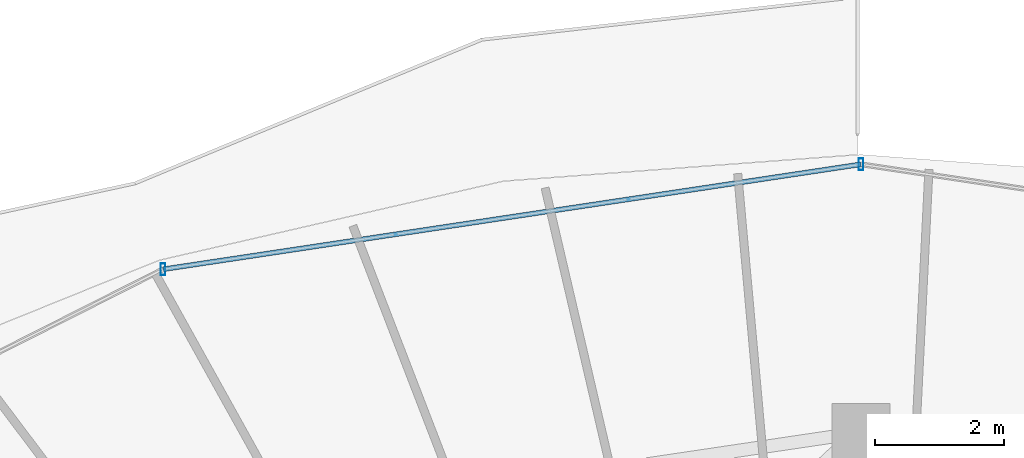
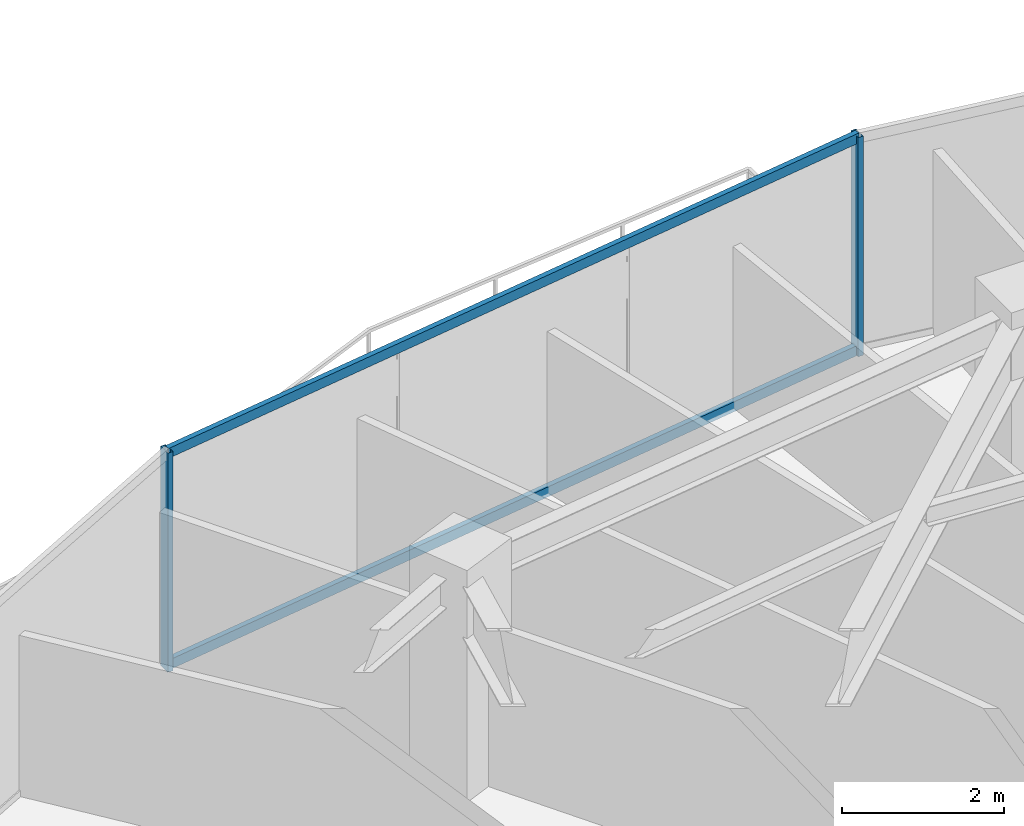
# One storey, part 20 of 33: 4 members, 1 element without a shape of its own.
"""IFC4 building model written with IfcOpenShell, lengths in metres."""

from ifc_helpers import new_model, si_unit, direction, frame, origin, origin_2d, place, context, subcontext, project, spatial, hollow_rectangle, extrude, material, material_profile, profile_set, type_object, element, aggregate, save


model = new_model("IFC4")

# Units and contexts
model_context = context("Model", 3, precision=1e-05, world=origin(), true_north=direction((0.0, 1.0)))
body_context = subcontext(model_context, "Body", "Model", "MODEL_VIEW")
ifc_project = project(units=[si_unit("LENGTHUNIT", "METRE"), si_unit("AREAUNIT", "SQUARE_METRE"), si_unit("VOLUMEUNIT", "CUBIC_METRE"), si_unit("PLANEANGLEUNIT", "RADIAN"), si_unit("MASSUNIT", "GRAM", prefix="KILO")], contexts=[model_context])

# Site, building, storey
site_placement = place(None, origin())
site = spatial("IfcSite", under=ifc_project, at=site_placement, CompositionType="ELEMENT")
building_placement = place(site_placement, origin())
building = spatial("IfcBuilding", under=site, at=building_placement, Name="Vorneva Point Tower", CompositionType="ELEMENT")
storey_placement = place(building_placement, frame((0.0, 0.0, 189.60009765625)))
storey = spatial("IfcBuildingStorey", under=building, at=storey_placement, Name="L51", CompositionType="ELEMENT", Elevation=189.60009765625)

# Curtain wall, members
ifc_material = material(Name="Pale anodised aluminium", Category="aluminium")
curtain_wall_type = type_object("IfcCurtainWallType", Name="CW-RES-SYS", PredefinedType="NOTDEFINED", material=ifc_material)
curtain_wall_placement = place(storey_placement, origin())
curtain_wall = element("IfcCurtainWall", 1, at=curtain_wall_placement, inside=storey, type_object=curtain_wall_type, Name="L51 Unitised Curtain Wall CW-L51-R02", PredefinedType="NOTDEFINED")
ifc_material_profile_1 = material_profile(ifc_material, hollow_rectangle(XDim=0.074951171875, YDim=0.179931640625, WallThickness=0.00390625, at=origin_2d()), Name="AL-MUL 180x75x4")
ifc_profile_set_1 = profile_set([ifc_material_profile_1], Name="Pale anodised aluminium")
member_type_1 = type_object("IfcMemberType", Name="CW-MUL-180", PredefinedType="MULLION", material=ifc_profile_set_1)
member_1_placement = place(storey_placement, frame((38.0, 47.35009765625, -0.0400390625), z_axis=(0.0, 0.0, 1.0), x_axis=(1.0, 0.0, 0.0)))
member_1 = element("IfcMember", 2, at=member_1_placement, type_object=member_type_1, Name="CW-L51-R02 Mullion 03", PredefinedType="MULLION", context=body_context, shape_type="SweptSolid", body=[
    extrude(hollow_rectangle(XDim=0.074951171875, YDim=0.179931640625, WallThickness=0.00390625, at=origin_2d()), origin(), (0.0, 0.0, 1.0), 3.31005859375),
])
member_2_placement = place(storey_placement, frame((27.19677734375, 45.724853515625, -0.0400390625), z_axis=(0.0, 0.0, 1.0), x_axis=(1.0, 0.0, 0.0)))
member_2 = element("IfcMember", 3, at=member_2_placement, type_object=member_type_1, Name="CW-L51-R02 Mullion 04", PredefinedType="MULLION", context=body_context, shape_type="SweptSolid", body=[
    extrude(hollow_rectangle(XDim=0.074951171875, YDim=0.179931640625, WallThickness=0.00390625, at=origin_2d()), origin(), (0.0, 0.0, 1.0), 3.31005859375),
])
ifc_material_profile_2 = material_profile(ifc_material, hollow_rectangle(XDim=0.074951171875, YDim=0.14990234375, WallThickness=0.00390625, at=origin_2d()), Name="AL-TRN 150x75x4")
ifc_profile_set_2 = profile_set([ifc_material_profile_2], Name="Pale anodised aluminium")
member_type_2 = type_object("IfcMemberType", Name="CW-TRN-150", PredefinedType="USERDEFINED", material=ifc_profile_set_2)
member_3_placement = place(storey_placement, frame((38.0, 47.35009765625, 0.02001953125), z_axis=(-0.988872333273, -0.148766624239, 0.0), x_axis=(0.148766624239, -0.988872333273, 0.0)))
member_3 = element("IfcMember", 4, at=member_3_placement, type_object=member_type_2, Name="CW-L51-R02 Transom 03.1", ObjectType="TRANSOM", PredefinedType="USERDEFINED", context=body_context, shape_type="SweptSolid", body=[
    extrude(hollow_rectangle(XDim=0.074951171875, YDim=0.14990234375, WallThickness=0.00390625, at=origin_2d()), origin(), (0.0, 0.0, 1.0), 10.9248046875),
])
member_4_placement = place(storey_placement, frame((38.0, 47.35009765625, 3.219970703125), z_axis=(-0.988872333273, -0.148766624239, 0.0), x_axis=(0.148766624239, -0.988872333273, 0.0)))
member_4 = element("IfcMember", 5, at=member_4_placement, type_object=member_type_2, Name="CW-L51-R02 Transom 03.2", ObjectType="TRANSOM", PredefinedType="USERDEFINED", context=body_context, shape_type="SweptSolid", body=[
    extrude(hollow_rectangle(XDim=0.074951171875, YDim=0.14990234375, WallThickness=0.00390625, at=origin_2d()), origin(), (0.0, 0.0, 1.0), 10.9248046875),
])
aggregate(curtain_wall, [member_1, member_2, member_3, member_4])

save(model, "model.ifc")
